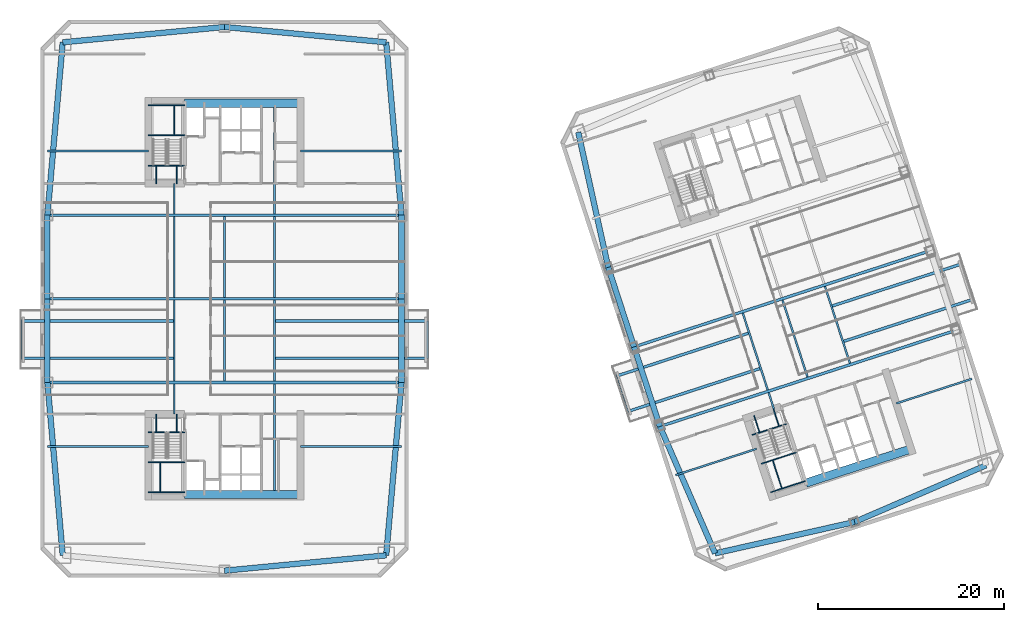
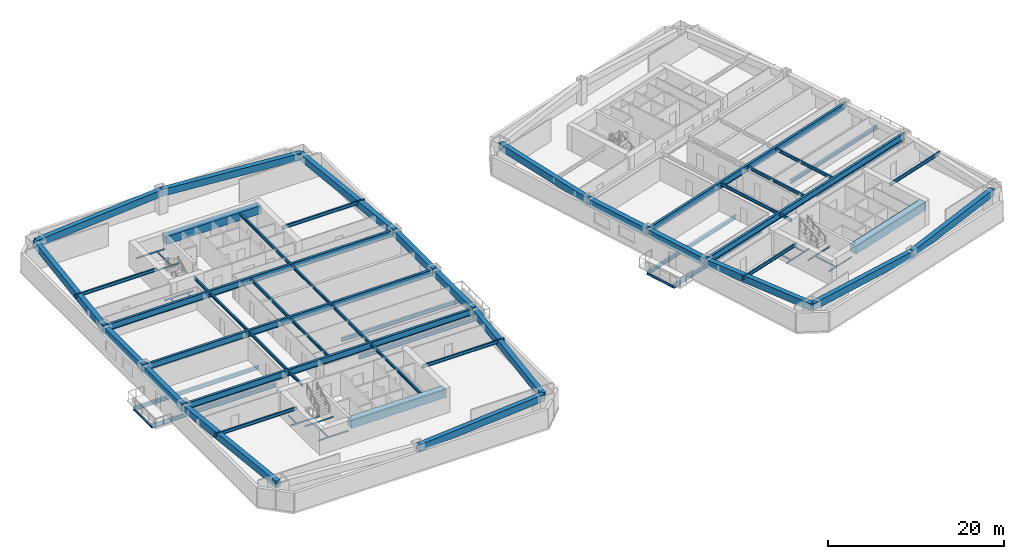
# One storey, part 3 of 15: 74 beams.
"""IFC4 building model written with IfcOpenShell, lengths in metres."""

from ifc_helpers import new_model, si_unit, direction, frame, origin, origin_2d, place, context, subcontext, project, spatial, rectangle, i_section, extrude, material, material_profile, profile_set, type_object, element, save


model = new_model("IFC4")

# Units and contexts
model_context = context("Model", 3, precision=1e-05, world=origin(), true_north=direction((0.0, 1.0)))
body_context = subcontext(model_context, "Body", "Model", "MODEL_VIEW")
ifc_project = project(units=[si_unit("LENGTHUNIT", "METRE"), si_unit("AREAUNIT", "SQUARE_METRE"), si_unit("VOLUMEUNIT", "CUBIC_METRE"), si_unit("PLANEANGLEUNIT", "RADIAN"), si_unit("MASSUNIT", "GRAM", prefix="KILO")], contexts=[model_context])

# Site, building, storey
site_placement = place(None, origin())
site = spatial("IfcSite", under=ifc_project, at=site_placement, CompositionType="ELEMENT")
building_placement = place(site_placement, origin())
building = spatial("IfcBuilding", under=site, at=building_placement, Name="Qiaolan Cultural Towers", CompositionType="ELEMENT")
storey_placement = place(building_placement, frame((0.0, 0.0, 81.64990234375)))
storey = spatial("IfcBuildingStorey", under=building, at=storey_placement, Name="L20", CompositionType="ELEMENT", Elevation=81.64990234375)

# Beams
ifc_material_1 = material(Name="Steel Q355B", Category="steel")
ifc_material_profile_1 = material_profile(ifc_material_1, i_section(OverallWidth=0.300048828125, OverallDepth=0.488037109375, WebThickness=0.010986328125, FlangeThickness=0.01806640625, at=origin_2d()), Name="HM488x300x11x18")
ifc_profile_set_1 = profile_set([ifc_material_profile_1], Name="Steel Q355B")
beam_type_1 = type_object("IfcBeamType", Name="BM-HM488x300x11x18", PredefinedType="BEAM", material=ifc_profile_set_1)
for number, where, z_axis, x_axis, name in (
    (1, (24.60009765625, 27.60009765625, -0.52392578125), (-1.0, 0.0, 0.0), (0.0, -1.0, 0.0), "L20 T1 Tree Balcony Back-Spanned Bracket Beam"),
    (2, (24.60009765625, 31.60009765625, -0.52392578125), (-1.0, 0.0, 0.0), (0.0, -1.0, 0.0), "L20 T1 Tree Balcony Back-Spanned Bracket Beam"),
    (3, (35.39990234375, 27.60009765625, -0.52392578125), (1.0, 0.0, 0.0), (0.0, 1.0, 0.0), "L20 T1 Tree Balcony Back-Spanned Bracket Beam"),
    (4, (35.39990234375, 31.60009765625, -0.52392578125), (1.0, 0.0, 0.0), (0.0, 1.0, 0.0), "L20 T1 Tree Balcony Back-Spanned Bracket Beam"),
):
    element("IfcBeam", number, at=place(storey_placement, frame(where, z_axis=z_axis, x_axis=x_axis)), inside=storey, type_object=beam_type_1, Name=name, PredefinedType="BEAM", context=body_context, shape_type="SweptSolid", body=[
        extrude(i_section(OverallWidth=0.300048828125, OverallDepth=0.488037109375, WebThickness=0.010986328125, FlangeThickness=0.01806640625, at=origin_2d()), origin(), (0.0, 0.0, 1.0), 16.4501953125),
    ])
for number, where, z_axis, x_axis, name in (
    (5, (87.697998046875, 26.522705078125, -0.52392578125), (-0.951058384903, -0.309011243331, 0.0), (0.309011243331, -0.951058384903, 0.0), "L20 T2 Tree Balcony Back-Spanned Bracket Beam"),
    (6, (86.4619140625, 30.326904296875, -0.52392578125), (-0.951058384903, -0.309011243331, 0.0), (0.309011243331, -0.951058384903, 0.0), "L20 T2 Tree Balcony Back-Spanned Bracket Beam"),
):
    element("IfcBeam", number, at=place(storey_placement, frame(where, z_axis=z_axis, x_axis=x_axis)), inside=storey, type_object=beam_type_1, Name=name, PredefinedType="BEAM", context=body_context, shape_type="SweptSolid", body=[
        extrude(i_section(OverallWidth=0.300048828125, OverallDepth=0.488037109375, WebThickness=0.010986328125, FlangeThickness=0.01806640625, at=origin_2d()), origin(), (0.0, 0.0, 1.0), 15.050048828125),
    ])
for number, where, z_axis, x_axis, name in (
    (7, (96.542724609375, 29.396484375, -0.52392578125), (0.951054379921, 0.309023569382, 0.0), (-0.309023569382, 0.951054379921, 0.0), "L20 T2 Tree Balcony Back-Spanned Bracket Beam"),
    (8, (95.306640625, 33.20068359375, -0.52392578125), (0.951054379921, 0.309023569382, 0.0), (-0.309023569382, 0.951054379921, 0.0), "L20 T2 Tree Balcony Back-Spanned Bracket Beam"),
):
    element("IfcBeam", number, at=place(storey_placement, frame(where, z_axis=z_axis, x_axis=x_axis)), inside=storey, type_object=beam_type_1, Name=name, PredefinedType="BEAM", context=body_context, shape_type="SweptSolid", body=[
        extrude(i_section(OverallWidth=0.300048828125, OverallDepth=0.488037109375, WebThickness=0.010986328125, FlangeThickness=0.01806640625, at=origin_2d()), origin(), (0.0, 0.0, 1.0), 14.75),
    ])
ifc_material_2 = material(Name="Steel Q355B", Category="steel")
ifc_material_profile_2 = material_profile(ifc_material_2, i_section(OverallWidth=0.300048828125, OverallDepth=0.89990234375, WebThickness=0.01611328125, FlangeThickness=0.028076171875, at=origin_2d()), Name="HN900x300x16x28")
ifc_profile_set_2 = profile_set([ifc_material_profile_2], Name="Steel Q355B")
beam_type_2 = type_object("IfcBeamType", Name="BM-HN900x300x16x28", PredefinedType="BEAM", material=ifc_profile_set_2)
for number, where, z_axis, x_axis, name in (
    (9, (10.949951171875, 25.0, 2.739990234375), (1.0, 0.0, 0.0), (0.0, 1.0, 0.0), "L20 T1 Primary Transverse Girder V1"),
    (10, (10.949951171875, 34.0, 2.739990234375), (1.0, 0.0, 0.0), (0.0, 1.0, 0.0), "L20 T1 Primary Transverse Girder V2"),
    (11, (10.949951171875, 43.0, 2.739990234375), (1.0, 0.0, 0.0), (0.0, 1.0, 0.0), "L20 T1 Primary Transverse Girder V3"),
):
    element("IfcBeam", number, at=place(storey_placement, frame(where, z_axis=z_axis, x_axis=x_axis)), inside=storey, type_object=beam_type_2, Name=name, PredefinedType="BEAM", context=body_context, shape_type="SweptSolid", body=[
        extrude(i_section(OverallWidth=0.300048828125, OverallDepth=0.89990234375, WebThickness=0.01611328125, FlangeThickness=0.028076171875, at=origin_2d()), origin(), (0.0, 0.0, 1.0), 38.10009765625),
    ])
for number, where, z_axis, x_axis, name in (
    (12, (76.85107421875, 20.264404296875, 2.739990234375), (0.951056559899, 0.309016860175, 0.0), (-0.309016860175, 0.951056559899, 0.0), "L20 T2 Primary Transverse Girder V1"),
    (13, (74.06982421875, 28.823974609375, 2.739990234375), (0.951056559899, 0.309016860175, 0.0), (-0.309016860175, 0.951056559899, 0.0), "L20 T2 Primary Transverse Girder V2"),
):
    element("IfcBeam", number, at=place(storey_placement, frame(where, z_axis=z_axis, x_axis=x_axis)), inside=storey, type_object=beam_type_2, Name=name, PredefinedType="BEAM", context=body_context, shape_type="SweptSolid", body=[
        extrude(i_section(OverallWidth=0.300048828125, OverallDepth=0.89990234375, WebThickness=0.01611328125, FlangeThickness=0.028076171875, at=origin_2d()), origin(), (0.0, 0.0, 1.0), 33.5),
    ])
ifc_material_3 = material(Name="Steel Q355B", Category="steel")
ifc_material_profile_3 = material_profile(ifc_material_3, i_section(OverallWidth=0.175048828125, OverallDepth=0.35009765625, WebThickness=0.007080078125, FlangeThickness=0.010986328125, at=origin_2d()), Name="HN350x175x7x11")
ifc_profile_set_3 = profile_set([ifc_material_profile_3], Name="Steel Q355B")
beam_type_3 = type_object("IfcBeamType", Name="BM-JST-HN350x175x7x11", PredefinedType="JOIST", material=ifc_profile_set_3)
for number, where, z_axis, x_axis, name in (
    (14, (8.14990234375, 27.60009765625, -0.52392578125), (0.0, 1.0, 0.0), (-1.0, 0.0, 0.0), "L20 T1 Tree Balcony Outer Edge Beam"),
    (15, (51.85009765625, 27.60009765625, -0.52392578125), (0.0, 1.0, 0.0), (-1.0, 0.0, 0.0), "L20 T1 Tree Balcony Outer Edge Beam"),
    (16, (73.384521484375, 21.8720703125, -0.52392578125), (-0.309022586479, 0.951054699292, 0.0), (-0.951054699292, -0.309022586479, 0.0), "L20 T2 Tree Balcony Outer Edge Beam"),
):
    element("IfcBeam", number, at=place(storey_placement, frame(where, z_axis=z_axis, x_axis=x_axis)), inside=storey, type_object=beam_type_3, Name=name, PredefinedType="JOIST", context=body_context, shape_type="SweptSolid", body=[
        extrude(i_section(OverallWidth=0.175048828125, OverallDepth=0.35009765625, WebThickness=0.007080078125, FlangeThickness=0.010986328125, at=origin_2d()), origin(), (0.0, 0.0, 1.0), 4.0),
    ])
ifc_material_4 = material(Name="Steel Q355B", Category="steel")
ifc_material_profile_4 = material_profile(ifc_material_4, i_section(OverallWidth=0.199951171875, OverallDepth=0.39990234375, WebThickness=0.008056640625, FlangeThickness=0.012939453125, at=origin_2d()), Name="HN400x200x8x13")
ifc_profile_set_4 = profile_set([ifc_material_profile_4], Name="Steel Q355B")
beam_type_4 = type_object("IfcBeamType", Name="BM-JST-HN400x200x8x13", PredefinedType="JOIST", material=ifc_profile_set_4)
beam_1_placement = place(storey_placement, frame((24.60009765625, 21.60009765625, 2.989990234375), z_axis=(0.0, 1.0, 0.0), x_axis=(-1.0, 0.0, 0.0)))
element("IfcBeam", 17, at=beam_1_placement, inside=storey, type_object=beam_type_4, Name="L20 T1 Secondary Floor Joist U1-1", PredefinedType="JOIST", context=body_context, shape_type="SweptSolid", body=[
    extrude(i_section(OverallWidth=0.199951171875, OverallDepth=0.39990234375, WebThickness=0.008056640625, FlangeThickness=0.012939453125, at=origin_2d()), origin(), (0.0, 0.0, 1.0), 3.25),
])
for number, where, z_axis, x_axis, name in (
    (18, (24.60009765625, 25.14990234375, 2.989990234375), (0.0, 1.0, 0.0), (-1.0, 0.0, 0.0), "L20 T1 Secondary Floor Joist U1-2"),
    (19, (24.60009765625, 34.14990234375, 2.989990234375), (0.0, 1.0, 0.0), (-1.0, 0.0, 0.0), "L20 T1 Secondary Floor Joist U1-3"),
):
    element("IfcBeam", number, at=place(storey_placement, frame(where, z_axis=z_axis, x_axis=x_axis)), inside=storey, type_object=beam_type_4, Name=name, PredefinedType="JOIST", context=body_context, shape_type="SweptSolid", body=[
        extrude(i_section(OverallWidth=0.199951171875, OverallDepth=0.39990234375, WebThickness=0.008056640625, FlangeThickness=0.012939453125, at=origin_2d()), origin(), (0.0, 0.0, 1.0), 8.7001953125),
    ])
beam_2_placement = place(storey_placement, frame((24.60009765625, 43.14990234375, 2.989990234375), z_axis=(0.0, 1.0, 0.0), x_axis=(-1.0, 0.0, 0.0)))
element("IfcBeam", 20, at=beam_2_placement, inside=storey, type_object=beam_type_4, Name="L20 T1 Secondary Floor Joist U1-4", PredefinedType="JOIST", context=body_context, shape_type="SweptSolid", body=[
    extrude(i_section(OverallWidth=0.199951171875, OverallDepth=0.39990234375, WebThickness=0.008056640625, FlangeThickness=0.012939453125, at=origin_2d()), origin(), (0.0, 0.0, 1.0), 3.25),
])
for number, where, z_axis, x_axis, name in (
    (21, (30.0, 25.14990234375, 2.989990234375), (0.0, 1.0, 0.0), (-1.0, 0.0, 0.0), "L20 T1 Secondary Floor Joist U2-2"),
    (22, (30.0, 34.14990234375, 2.989990234375), (0.0, 1.0, 0.0), (-1.0, 0.0, 0.0), "L20 T1 Secondary Floor Joist U2-3"),
):
    element("IfcBeam", number, at=place(storey_placement, frame(where, z_axis=z_axis, x_axis=x_axis)), inside=storey, type_object=beam_type_4, Name=name, PredefinedType="JOIST", context=body_context, shape_type="SweptSolid", body=[
        extrude(i_section(OverallWidth=0.199951171875, OverallDepth=0.39990234375, WebThickness=0.008056640625, FlangeThickness=0.012939453125, at=origin_2d()), origin(), (0.0, 0.0, 1.0), 8.7001953125),
    ])
beam_3_placement = place(storey_placement, frame((35.39990234375, 13.39990234375, 2.989990234375), z_axis=(0.0, 1.0, 0.0), x_axis=(-1.0, 0.0, 0.0)))
element("IfcBeam", 23, at=beam_3_placement, inside=storey, type_object=beam_type_4, Name="L20 T1 Secondary Floor Joist U3-1", PredefinedType="JOIST", context=body_context, shape_type="SweptSolid", body=[
    extrude(i_section(OverallWidth=0.199951171875, OverallDepth=0.39990234375, WebThickness=0.008056640625, FlangeThickness=0.012939453125, at=origin_2d()), origin(), (0.0, 0.0, 1.0), 11.4501953125),
])
for number, where, z_axis, x_axis, name in (
    (24, (35.39990234375, 25.14990234375, 2.989990234375), (0.0, 1.0, 0.0), (-1.0, 0.0, 0.0), "L20 T1 Secondary Floor Joist U3-2"),
    (25, (35.39990234375, 34.14990234375, 2.989990234375), (0.0, 1.0, 0.0), (-1.0, 0.0, 0.0), "L20 T1 Secondary Floor Joist U3-3"),
):
    element("IfcBeam", number, at=place(storey_placement, frame(where, z_axis=z_axis, x_axis=x_axis)), inside=storey, type_object=beam_type_4, Name=name, PredefinedType="JOIST", context=body_context, shape_type="SweptSolid", body=[
        extrude(i_section(OverallWidth=0.199951171875, OverallDepth=0.39990234375, WebThickness=0.008056640625, FlangeThickness=0.012939453125, at=origin_2d()), origin(), (0.0, 0.0, 1.0), 8.7001953125),
    ])
beam_4_placement = place(storey_placement, frame((35.39990234375, 43.14990234375, 2.989990234375), z_axis=(0.0, 1.0, 0.0), x_axis=(-1.0, 0.0, 0.0)))
element("IfcBeam", 26, at=beam_4_placement, inside=storey, type_object=beam_type_4, Name="L20 T1 Secondary Floor Joist U3-4", PredefinedType="JOIST", context=body_context, shape_type="SweptSolid", body=[
    extrude(i_section(OverallWidth=0.199951171875, OverallDepth=0.39990234375, WebThickness=0.008056640625, FlangeThickness=0.012939453125, at=origin_2d()), origin(), (0.0, 0.0, 1.0), 11.4501953125),
])
beam_5_placement = place(storey_placement, frame((89.119384765625, 22.147705078125, 2.989990234375), z_axis=(-0.308933885266, 0.951083516067, 0.0), x_axis=(-0.951083516067, -0.308933885266, 0.0)))
element("IfcBeam", 27, at=beam_5_placement, inside=storey, type_object=beam_type_4, Name="L20 T2 Secondary Floor Joist U1-1", PredefinedType="JOIST", context=body_context, shape_type="SweptSolid", body=[
    extrude(i_section(OverallWidth=0.199951171875, OverallDepth=0.39990234375, WebThickness=0.008056640625, FlangeThickness=0.012939453125, at=origin_2d()), origin(), (0.0, 0.0, 1.0), 1.85009765625),
])
for number, where, z_axis, x_axis, name in (
    (28, (88.455078125, 24.192626953125, 2.989990234375), (-0.309020714809, 0.951055307445, 0.0), (-0.951055307445, -0.309020714809, 0.0), "L20 T2 Secondary Floor Joist U1-2"),
    (29, (92.73486328125, 25.583251953125, 2.989990234375), (-0.309020714809, 0.951055307445, 0.0), (-0.951055307445, -0.309020714809, 0.0), "L20 T2 Secondary Floor Joist U2-2"),
    (30, (97.2998046875, 27.06640625, 2.989990234375), (-0.309020714809, 0.951055307445, 0.0), (-0.951055307445, -0.309020714809, 0.0), "L20 T2 Secondary Floor Joist U3-2"),
):
    element("IfcBeam", number, at=place(storey_placement, frame(where, z_axis=z_axis, x_axis=x_axis)), inside=storey, type_object=beam_type_4, Name=name, PredefinedType="JOIST", context=body_context, shape_type="SweptSolid", body=[
        extrude(i_section(OverallWidth=0.199951171875, OverallDepth=0.39990234375, WebThickness=0.008056640625, FlangeThickness=0.012939453125, at=origin_2d()), origin(), (0.0, 0.0, 1.0), 8.699951171875),
    ])
ifc_material_5 = material(Name="Steel Q355B", Category="steel")
ifc_material_profile_5 = material_profile(ifc_material_5, i_section(OverallWidth=0.199951171875, OverallDepth=0.449951171875, WebThickness=0.009033203125, FlangeThickness=0.013916015625, at=origin_2d()), Name="HN450x200x9x14")
ifc_profile_set_5 = profile_set([ifc_material_profile_5], Name="Steel Q355B")
beam_type_5 = type_object("IfcBeamType", Name="BM-LNT-HN450x200x9x14", PredefinedType="LINTEL", material=ifc_profile_set_5)
for number, where, z_axis, x_axis, name in (
    (31, (21.800048828125, 18.10009765625, 2.965087890625), (-1.0, 0.0, 0.0), (0.0, -1.0, 0.0), "L20 T1 Core Flank Tie Lintel WS"),
    (32, (21.800048828125, 49.89990234375, 2.965087890625), (-1.0, 0.0, 0.0), (0.0, -1.0, 0.0), "L20 T1 Core Flank Tie Lintel WN"),
    (33, (38.199951171875, 18.10009765625, 2.965087890625), (1.0, 0.0, 0.0), (0.0, 1.0, 0.0), "L20 T1 Core Flank Tie Lintel ES"),
    (34, (38.199951171875, 49.89990234375, 2.965087890625), (1.0, 0.0, 0.0), (0.0, 1.0, 0.0), "L20 T1 Core Flank Tie Lintel EN"),
):
    element("IfcBeam", number, at=place(storey_placement, frame(where, z_axis=z_axis, x_axis=x_axis)), inside=storey, type_object=beam_type_5, Name=name, PredefinedType="LINTEL", context=body_context, shape_type="SweptSolid", body=[
        extrude(i_section(OverallWidth=0.199951171875, OverallDepth=0.449951171875, WebThickness=0.009033203125, FlangeThickness=0.013916015625, at=origin_2d()), origin(), (0.0, 0.0, 1.0), 10.85009765625),
    ])
beam_6_placement = place(storey_placement, frame((87.252685546875, 17.861083984375, 2.965087890625), z_axis=(-0.951059948176, -0.309006431933, 0.0), x_axis=(0.309006431933, -0.951059948176, 0.0)))
element("IfcBeam", 35, at=beam_6_placement, inside=storey, type_object=beam_type_5, Name="L20 T2 Core Flank Tie Lintel WS", PredefinedType="LINTEL", context=body_context, shape_type="SweptSolid", body=[
    extrude(i_section(OverallWidth=0.199951171875, OverallDepth=0.449951171875, WebThickness=0.009033203125, FlangeThickness=0.013916015625, at=origin_2d()), origin(), (0.0, 0.0, 1.0), 9.14990234375),
])
beam_7_placement = place(storey_placement, frame((102.279296875, 22.74365234375, 2.965087890625), z_axis=(0.951057358187, 0.309014403287, 0.0), x_axis=(-0.309014403287, 0.951057358187, 0.0)))
element("IfcBeam", 36, at=beam_7_placement, inside=storey, type_object=beam_type_5, Name="L20 T2 Core Flank Tie Lintel ES", PredefinedType="LINTEL", context=body_context, shape_type="SweptSolid", body=[
    extrude(i_section(OverallWidth=0.199951171875, OverallDepth=0.449951171875, WebThickness=0.009033203125, FlangeThickness=0.013916015625, at=origin_2d()), origin(), (0.0, 0.0, 1.0), 8.550048828125),
])
ifc_material_6 = material(Name="Concrete C50", Category="concrete")
ifc_material_profile_6 = material_profile(ifc_material_6, rectangle(XDim=0.89990234375, YDim=1.10009765625, at=origin_2d()), Name="RC900x1100")
ifc_profile_set_6 = profile_set([ifc_material_profile_6], Name="Concrete C50")
beam_type_6 = type_object("IfcBeamType", Name="BM-RC900x1100", PredefinedType="BEAM", material=ifc_profile_set_6)
for number, where, z_axis, x_axis, name in (
    (37, (25.719970703125, 12.949951171875, 2.64013671875), (1.0, 0.0, 0.0), (0.0, 1.0, 0.0), "L20 T1 Core Header Girder S"),
    (38, (25.719970703125, 55.050048828125, 2.64013671875), (1.0, 0.0, 0.0), (0.0, 1.0, 0.0), "L20 T1 Core Header Girder N"),
):
    element("IfcBeam", number, at=place(storey_placement, frame(where, z_axis=z_axis, x_axis=x_axis)), inside=storey, type_object=beam_type_6, Name=name, PredefinedType="BEAM", context=body_context, shape_type="SweptSolid", body=[
        extrude(rectangle(XDim=0.89990234375, YDim=1.10009765625, at=origin_2d()), origin(), (0.0, 0.0, 1.0), 12.47998046875),
    ])
beam_8_placement = place(storey_placement, frame((92.572265625, 14.174560546875, 2.64013671875), z_axis=(0.951056266386, 0.309017763514, 0.0), x_axis=(-0.309017763514, 0.951056266386, 0.0)))
element("IfcBeam", 39, at=beam_8_placement, inside=storey, type_object=beam_type_6, Name="L20 T2 Core Header Girder S", PredefinedType="BEAM", context=body_context, shape_type="SweptSolid", body=[
    extrude(rectangle(XDim=0.89990234375, YDim=1.10009765625, at=origin_2d()), origin(), (0.0, 0.0, 1.0), 11.880126953125),
])
ifc_material_7 = material(Name="Concrete C50", Category="concrete")
ifc_material_profile_7 = material_profile(ifc_material_7, rectangle(XDim=0.60009765625, YDim=0.949951171875, at=origin_2d()), Name="RC600x950")
ifc_profile_set_7 = profile_set([ifc_material_profile_7], Name="Concrete C50")
beam_type_7 = type_object("IfcBeamType", Name="BM-SPD-RC600x950", PredefinedType="SPANDREL", material=ifc_profile_set_7)
beam_9_placement = place(storey_placement, frame((30.0, 4.75, 2.715087890625), z_axis=(0.995534437156, 0.094399070104, 0.0), x_axis=(-0.094399070104, 0.995534437156, 0.0)))
element("IfcBeam", 40, at=beam_9_placement, inside=storey, type_object=beam_type_7, Name="L20 T1 Perimeter Spandrel Beam 2", PredefinedType="SPANDREL", context=body_context, shape_type="SweptSolid", body=[
    extrude(rectangle(XDim=0.60009765625, YDim=0.949951171875, at=origin_2d()), origin(), (0.0, 0.0, 1.0), 17.47802734375),
])
beam_10_placement = place(storey_placement, frame((47.39990234375, 6.39990234375, 2.715087890625), z_axis=(0.08837000091, 0.996087718496, 0.0), x_axis=(-0.996087718496, 0.08837000091, 0.0)))
element("IfcBeam", 41, at=beam_10_placement, inside=storey, type_object=beam_type_7, Name="L20 T1 Perimeter Spandrel Beam 3", PredefinedType="SPANDREL", context=body_context, shape_type="SweptSolid", body=[
    extrude(rectangle(XDim=0.60009765625, YDim=0.949951171875, at=origin_2d()), origin(), (0.0, 0.0, 1.0), 18.673095703125),
])
for number, where, z_axis, x_axis, name in (
    (42, (49.050048828125, 25.0, 2.715087890625), (0.0, 1.0, 0.0), (-1.0, 0.0, 0.0), "L20 T1 Perimeter Spandrel Beam 4"),
    (43, (49.050048828125, 34.0, 2.715087890625), (0.0, 1.0, 0.0), (-1.0, 0.0, 0.0), "L20 T1 Perimeter Spandrel Beam 5"),
):
    element("IfcBeam", number, at=place(storey_placement, frame(where, z_axis=z_axis, x_axis=x_axis)), inside=storey, type_object=beam_type_7, Name=name, PredefinedType="SPANDREL", context=body_context, shape_type="SweptSolid", body=[
        extrude(rectangle(XDim=0.60009765625, YDim=0.949951171875, at=origin_2d()), origin(), (0.0, 0.0, 1.0), 9.0),
    ])
beam_11_placement = place(storey_placement, frame((49.050048828125, 43.0, 2.715087890625), z_axis=(-0.08837000091, 0.996087718496, 0.0), x_axis=(-0.996087718496, -0.08837000091, 0.0)))
element("IfcBeam", 44, at=beam_11_placement, inside=storey, type_object=beam_type_7, Name="L20 T1 Perimeter Spandrel Beam 6", PredefinedType="SPANDREL", context=body_context, shape_type="SweptSolid", body=[
    extrude(rectangle(XDim=0.60009765625, YDim=0.949951171875, at=origin_2d()), origin(), (0.0, 0.0, 1.0), 18.673095703125),
])
for number, where, z_axis, x_axis, name in (
    (45, (47.39990234375, 61.60009765625, 2.715087890625), (-0.995534437156, 0.094399070104, 0.0), (-0.094399070104, -0.995534437156, 0.0), "L20 T1 Perimeter Spandrel Beam 7"),
    (46, (30.0, 63.25, 2.715087890625), (-0.995534437156, -0.094399070104, 0.0), (0.094399070104, -0.995534437156, 0.0), "L20 T1 Perimeter Spandrel Beam 8"),
):
    element("IfcBeam", number, at=place(storey_placement, frame(where, z_axis=z_axis, x_axis=x_axis)), inside=storey, type_object=beam_type_7, Name=name, PredefinedType="SPANDREL", context=body_context, shape_type="SweptSolid", body=[
        extrude(rectangle(XDim=0.60009765625, YDim=0.949951171875, at=origin_2d()), origin(), (0.0, 0.0, 1.0), 17.47802734375),
    ])
beam_12_placement = place(storey_placement, frame((12.60009765625, 61.60009765625, 2.715087890625), z_axis=(-0.08837000091, -0.996087718496, 0.0), x_axis=(0.996087718496, -0.08837000091, 0.0)))
element("IfcBeam", 47, at=beam_12_placement, inside=storey, type_object=beam_type_7, Name="L20 T1 Perimeter Spandrel Beam 9", PredefinedType="SPANDREL", context=body_context, shape_type="SweptSolid", body=[
    extrude(rectangle(XDim=0.60009765625, YDim=0.949951171875, at=origin_2d()), origin(), (0.0, 0.0, 1.0), 18.673095703125),
])
for number, where, z_axis, x_axis, name in (
    (48, (10.949951171875, 43.0, 2.715087890625), (0.0, -1.0, 0.0), (1.0, 0.0, 0.0), "L20 T1 Perimeter Spandrel Beam 10"),
    (49, (10.949951171875, 34.0, 2.715087890625), (0.0, -1.0, 0.0), (1.0, 0.0, 0.0), "L20 T1 Perimeter Spandrel Beam 11"),
):
    element("IfcBeam", number, at=place(storey_placement, frame(where, z_axis=z_axis, x_axis=x_axis)), inside=storey, type_object=beam_type_7, Name=name, PredefinedType="SPANDREL", context=body_context, shape_type="SweptSolid", body=[
        extrude(rectangle(XDim=0.60009765625, YDim=0.949951171875, at=origin_2d()), origin(), (0.0, 0.0, 1.0), 9.0),
    ])
beam_13_placement = place(storey_placement, frame((10.949951171875, 25.0, 2.715087890625), z_axis=(0.08837000091, -0.996087718496, 0.0), x_axis=(0.996087718496, 0.08837000091, 0.0)))
element("IfcBeam", 50, at=beam_13_placement, inside=storey, type_object=beam_type_7, Name="L20 T1 Perimeter Spandrel Beam 12", PredefinedType="SPANDREL", context=body_context, shape_type="SweptSolid", body=[
    extrude(rectangle(XDim=0.60009765625, YDim=0.949951171875, at=origin_2d()), origin(), (0.0, 0.0, 1.0), 18.673095703125),
])
beam_14_placement = place(storey_placement, frame((82.79052734375, 6.611572265625, 2.715087890625), z_axis=(0.975658154374, 0.219296980836, 0.0), x_axis=(-0.219296980836, 0.975658154374, 0.0)))
element("IfcBeam", 51, at=beam_14_placement, inside=storey, type_object=beam_type_7, Name="L20 T2 Perimeter Spandrel Beam 1", PredefinedType="SPANDREL", context=body_context, shape_type="SweptSolid", body=[
    extrude(rectangle(XDim=0.60009765625, YDim=0.949951171875, at=origin_2d()), origin(), (0.0, 0.0, 1.0), 15.38671875),
])
beam_15_placement = place(storey_placement, frame((97.802734375, 9.98583984375, 2.715087890625), z_axis=(0.918217549337, 0.396076422032, 0.0), x_axis=(-0.396076422032, 0.918217549337, 0.0)))
element("IfcBeam", 52, at=beam_15_placement, inside=storey, type_object=beam_type_7, Name="L20 T2 Perimeter Spandrel Beam 2", PredefinedType="SPANDREL", context=body_context, shape_type="SweptSolid", body=[
    extrude(rectangle(XDim=0.60009765625, YDim=0.949951171875, at=origin_2d()), origin(), (0.0, 0.0, 1.0), 15.386474609375),
])
beam_16_placement = place(storey_placement, frame((68.069091796875, 51.919921875, 2.715087890625), z_axis=(0.216237644833, -0.976340760676, 0.0), x_axis=(0.976340760676, 0.216237644833, 0.0)))
element("IfcBeam", 53, at=beam_16_placement, inside=storey, type_object=beam_type_7, Name="L20 T2 Perimeter Spandrel Beam 9", PredefinedType="SPANDREL", context=body_context, shape_type="SweptSolid", body=[
    extrude(rectangle(XDim=0.60009765625, YDim=0.949951171875, at=origin_2d()), origin(), (0.0, 0.0, 1.0), 14.888671875),
])
for number, where, z_axis, x_axis, name in (
    (54, (71.28857421875, 37.383544921875, 2.715087890625), (0.309024734286, -0.951054001411, 0.0), (0.951054001411, 0.309024734286, 0.0), "L20 T2 Perimeter Spandrel Beam 10"),
    (55, (74.06982421875, 28.823974609375, 2.715087890625), (0.309024734286, -0.951054001411, 0.0), (0.951054001411, 0.309024734286, 0.0), "L20 T2 Perimeter Spandrel Beam 11"),
):
    element("IfcBeam", number, at=place(storey_placement, frame(where, z_axis=z_axis, x_axis=x_axis)), inside=storey, type_object=beam_type_7, Name=name, PredefinedType="SPANDREL", context=body_context, shape_type="SweptSolid", body=[
        extrude(rectangle(XDim=0.60009765625, YDim=0.949951171875, at=origin_2d()), origin(), (0.0, 0.0, 1.0), 9.0),
    ])
beam_17_placement = place(storey_placement, frame((76.85107421875, 20.264404296875, 2.715087890625), z_axis=(0.398920370799, -0.916985571185, 0.0), x_axis=(0.916985571185, 0.398920370799, 0.0)))
element("IfcBeam", 56, at=beam_17_placement, inside=storey, type_object=beam_type_7, Name="L20 T2 Perimeter Spandrel Beam 12", PredefinedType="SPANDREL", context=body_context, shape_type="SweptSolid", body=[
    extrude(rectangle(XDim=0.60009765625, YDim=0.949951171875, at=origin_2d()), origin(), (0.0, 0.0, 1.0), 14.888916015625),
])
ifc_material_8 = material(Name="Steel Q355B", Category="steel")
ifc_material_profile_8 = material_profile(ifc_material_8, i_section(OverallWidth=0.10009765625, OverallDepth=0.199951171875, WebThickness=0.005615234375, FlangeThickness=0.008056640625, at=origin_2d()), Name="HN200x100x5.5x8")
ifc_profile_set_8 = profile_set([ifc_material_profile_8], Name="Steel Q355B")
beam_type_8 = type_object("IfcBeamType", Name="BM-STTRIM-200", PredefinedType="BEAM", material=ifc_profile_set_8)
beam_18_placement = place(storey_placement, frame((21.800048828125, 19.659912109375, -0.4599609375), z_axis=(1.0, 0.0, 0.0), x_axis=(0.0, 1.0, 0.0)))
element("IfcBeam", 57, at=beam_18_placement, inside=storey, type_object=beam_type_8, Name="L20 ST-W1 Floor Landing Header Beam", PredefinedType="BEAM", context=body_context, shape_type="SweptSolid", body=[
    extrude(i_section(OverallWidth=0.10009765625, OverallDepth=0.199951171875, WebThickness=0.005615234375, FlangeThickness=0.008056640625, at=origin_2d()), origin(), (0.0, 0.0, 1.0), 3.919921875),
])
for number, where, z_axis, x_axis, name in (
    (58, (22.64990234375, 21.60009765625, -0.4599609375), (0.0, -1.0, 0.0), (1.0, 0.0, 0.0), "L20 ST-W1 Floor Landing Stringer 1"),
    (59, (24.85009765625, 21.60009765625, -0.4599609375), (0.0, -1.0, 0.0), (1.0, 0.0, 0.0), "L20 ST-W1 Floor Landing Stringer 2"),
):
    element("IfcBeam", number, at=place(storey_placement, frame(where, z_axis=z_axis, x_axis=x_axis)), inside=storey, type_object=beam_type_8, Name=name, PredefinedType="BEAM", context=body_context, shape_type="SweptSolid", body=[
        extrude(i_section(OverallWidth=0.10009765625, OverallDepth=0.199951171875, WebThickness=0.005615234375, FlangeThickness=0.008056640625, at=origin_2d()), origin(), (0.0, 0.0, 1.0), 1.940185546875),
    ])
for number, where, z_axis, x_axis, name in (
    (60, (21.800048828125, 16.411376953125, 1.425048828125), (1.0, 0.0, 0.0), (0.0, 1.0, 0.0), "L20 ST-W1 Stair Landing Support Beam 1-1"),
    (61, (21.800048828125, 13.179931640625, 1.425048828125), (1.0, 0.0, 0.0), (0.0, 1.0, 0.0), "L20 ST-W1 Stair Landing Support Beam 1-2"),
):
    element("IfcBeam", number, at=place(storey_placement, frame(where, z_axis=z_axis, x_axis=x_axis)), inside=storey, type_object=beam_type_8, Name=name, PredefinedType="BEAM", context=body_context, shape_type="SweptSolid", body=[
        extrude(i_section(OverallWidth=0.10009765625, OverallDepth=0.199951171875, WebThickness=0.005615234375, FlangeThickness=0.008056640625, at=origin_2d()), origin(), (0.0, 0.0, 1.0), 3.919921875),
    ])
beam_19_placement = place(storey_placement, frame((23.070068359375, 16.411376953125, 1.425048828125), z_axis=(0.0, -1.0, 0.0), x_axis=(1.0, 0.0, 0.0)))
element("IfcBeam", 62, at=beam_19_placement, inside=storey, type_object=beam_type_8, Name="L20 ST-W1 Stair Landing Trimmer 1", PredefinedType="BEAM", context=body_context, shape_type="SweptSolid", body=[
    extrude(i_section(OverallWidth=0.10009765625, OverallDepth=0.199951171875, WebThickness=0.005615234375, FlangeThickness=0.008056640625, at=origin_2d()), origin(), (0.0, 0.0, 1.0), 3.2314453125),
])
beam_20_placement = place(storey_placement, frame((21.800048828125, 48.340087890625, -0.4599609375), z_axis=(1.0, 0.0, 0.0), x_axis=(0.0, 1.0, 0.0)))
element("IfcBeam", 63, at=beam_20_placement, inside=storey, type_object=beam_type_8, Name="L20 ST-W2 Floor Landing Header Beam", PredefinedType="BEAM", context=body_context, shape_type="SweptSolid", body=[
    extrude(i_section(OverallWidth=0.10009765625, OverallDepth=0.199951171875, WebThickness=0.005615234375, FlangeThickness=0.008056640625, at=origin_2d()), origin(), (0.0, 0.0, 1.0), 3.919921875),
])
for number, where, z_axis, x_axis, name in (
    (64, (22.64990234375, 46.39990234375, -0.4599609375), (0.0, 1.0, 0.0), (-1.0, 0.0, 0.0), "L20 ST-W2 Floor Landing Stringer 1"),
    (65, (24.85009765625, 46.39990234375, -0.4599609375), (0.0, 1.0, 0.0), (-1.0, 0.0, 0.0), "L20 ST-W2 Floor Landing Stringer 2"),
):
    element("IfcBeam", number, at=place(storey_placement, frame(where, z_axis=z_axis, x_axis=x_axis)), inside=storey, type_object=beam_type_8, Name=name, PredefinedType="BEAM", context=body_context, shape_type="SweptSolid", body=[
        extrude(i_section(OverallWidth=0.10009765625, OverallDepth=0.199951171875, WebThickness=0.005615234375, FlangeThickness=0.008056640625, at=origin_2d()), origin(), (0.0, 0.0, 1.0), 1.940185546875),
    ])
for number, where, z_axis, x_axis, name in (
    (66, (21.800048828125, 51.588623046875, 1.425048828125), (1.0, 0.0, 0.0), (0.0, 1.0, 0.0), "L20 ST-W2 Stair Landing Support Beam 1-1"),
    (67, (21.800048828125, 54.820068359375, 1.425048828125), (1.0, 0.0, 0.0), (0.0, 1.0, 0.0), "L20 ST-W2 Stair Landing Support Beam 1-2"),
):
    element("IfcBeam", number, at=place(storey_placement, frame(where, z_axis=z_axis, x_axis=x_axis)), inside=storey, type_object=beam_type_8, Name=name, PredefinedType="BEAM", context=body_context, shape_type="SweptSolid", body=[
        extrude(i_section(OverallWidth=0.10009765625, OverallDepth=0.199951171875, WebThickness=0.005615234375, FlangeThickness=0.008056640625, at=origin_2d()), origin(), (0.0, 0.0, 1.0), 3.919921875),
    ])
beam_21_placement = place(storey_placement, frame((24.610107421875, 51.588623046875, 1.425048828125), z_axis=(0.0, 1.0, 0.0), x_axis=(-1.0, 0.0, 0.0)))
element("IfcBeam", 68, at=beam_21_placement, inside=storey, type_object=beam_type_8, Name="L20 ST-W2 Stair Landing Trimmer 1", PredefinedType="BEAM", context=body_context, shape_type="SweptSolid", body=[
    extrude(i_section(OverallWidth=0.10009765625, OverallDepth=0.199951171875, WebThickness=0.005615234375, FlangeThickness=0.008056640625, at=origin_2d()), origin(), (0.0, 0.0, 1.0), 3.2314453125),
])
beam_22_placement = place(storey_placement, frame((86.770751953125, 19.3447265625, -0.4599609375), z_axis=(0.951047798727, 0.309043823005, 0.0), x_axis=(-0.309043823005, 0.951047798727, 0.0)))
element("IfcBeam", 69, at=beam_22_placement, inside=storey, type_object=beam_type_8, Name="L20 ST-E1 Floor Landing Header Beam", PredefinedType="BEAM", context=body_context, shape_type="SweptSolid", body=[
    extrude(i_section(OverallWidth=0.10009765625, OverallDepth=0.199951171875, WebThickness=0.005615234375, FlangeThickness=0.008056640625, at=origin_2d()), origin(), (0.0, 0.0, 1.0), 3.919921875),
])
for number, where, z_axis, x_axis, name in (
    (70, (86.9794921875, 21.452392578125, -0.4599609375), (0.309083226701, -0.951034993558, 0.0), (0.951034993558, 0.309083226701, 0.0), "L20 ST-E1 Floor Landing Stringer 1"),
    (71, (89.07177734375, 22.13232421875, -0.4599609375), (0.309083226701, -0.951034993558, 0.0), (0.951034993558, 0.309083226701, 0.0), "L20 ST-E1 Floor Landing Stringer 2"),
):
    element("IfcBeam", number, at=place(storey_placement, frame(where, z_axis=z_axis, x_axis=x_axis)), inside=storey, type_object=beam_type_8, Name=name, PredefinedType="BEAM", context=body_context, shape_type="SweptSolid", body=[
        extrude(i_section(OverallWidth=0.10009765625, OverallDepth=0.199951171875, WebThickness=0.005615234375, FlangeThickness=0.008056640625, at=origin_2d()), origin(), (0.0, 0.0, 1.0), 1.93994140625),
    ])
for number, where, z_axis, x_axis, name in (
    (72, (87.774658203125, 16.255126953125, 1.425048828125), (0.951047798727, 0.309043823005, 0.0), (-0.309043823005, 0.951047798727, 0.0), "L20 ST-E1 Stair Landing Support Beam 1-1"),
    (73, (88.773193359375, 13.181884765625, 1.425048828125), (0.951047798727, 0.309043823005, 0.0), (-0.309043823005, 0.951047798727, 0.0), "L20 ST-E1 Stair Landing Support Beam 1-2"),
):
    element("IfcBeam", number, at=place(storey_placement, frame(where, z_axis=z_axis, x_axis=x_axis)), inside=storey, type_object=beam_type_8, Name=name, PredefinedType="BEAM", context=body_context, shape_type="SweptSolid", body=[
        extrude(i_section(OverallWidth=0.10009765625, OverallDepth=0.199951171875, WebThickness=0.005615234375, FlangeThickness=0.008056640625, at=origin_2d()), origin(), (0.0, 0.0, 1.0), 3.919921875),
    ])
beam_23_placement = place(storey_placement, frame((88.982421875, 16.6474609375, 1.425048828125), z_axis=(0.309033108495, -0.951051280349, 0.0), x_axis=(0.951051280349, 0.309033108495, 0.0)))
element("IfcBeam", 74, at=beam_23_placement, inside=storey, type_object=beam_type_8, Name="L20 ST-E1 Stair Landing Trimmer 1", PredefinedType="BEAM", context=body_context, shape_type="SweptSolid", body=[
    extrude(i_section(OverallWidth=0.10009765625, OverallDepth=0.199951171875, WebThickness=0.005615234375, FlangeThickness=0.008056640625, at=origin_2d()), origin(), (0.0, 0.0, 1.0), 3.231201171875),
])

save(model, "model.ifc")
